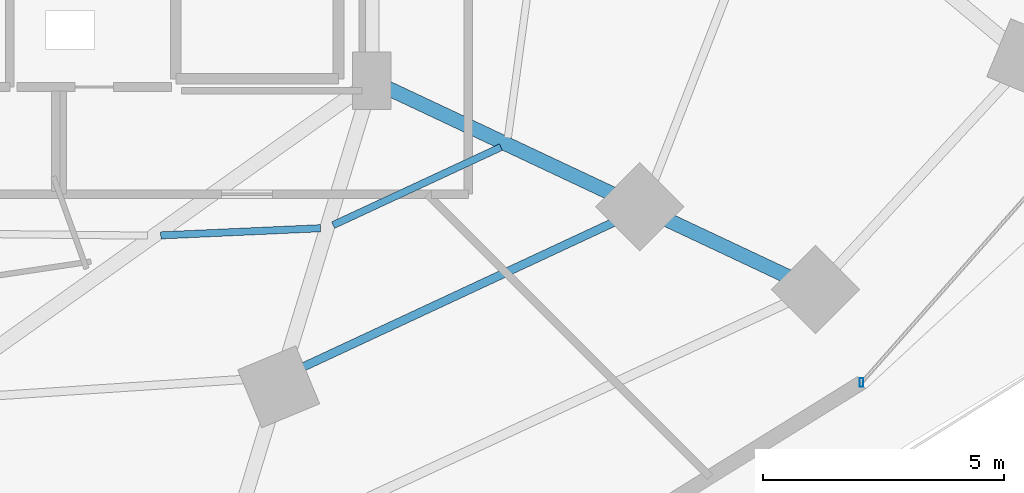
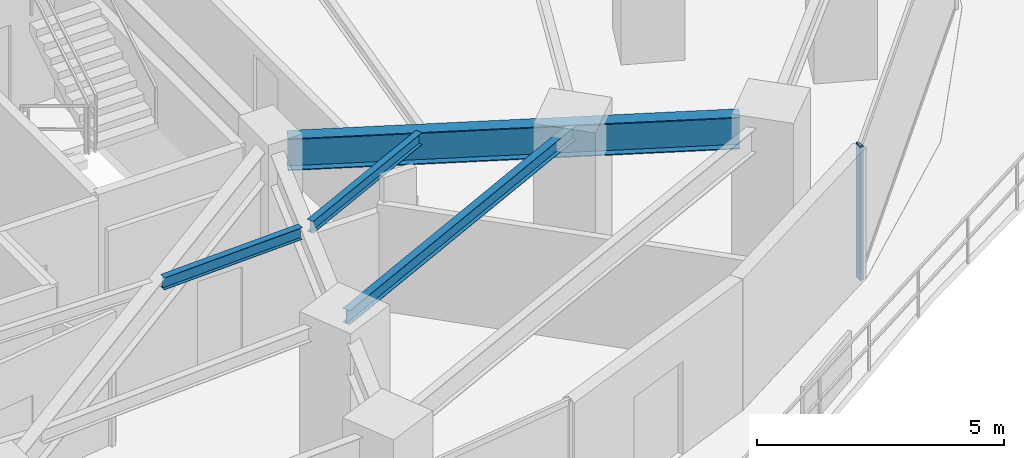
# One storey, part 13 of 34: 4 beams, 1 member, 1 element without a shape of its own.
"""IFC4 building model written with IfcOpenShell, lengths in metres."""

from ifc_helpers import new_model, si_unit, direction, frame, origin, origin_2d, place, context, subcontext, project, spatial, hollow_rectangle, i_section, extrude, material, material_profile, profile_set, type_object, element, aggregate, save


model = new_model("IFC4")

# Units and contexts
model_context = context("Model", 3, precision=1e-05, world=origin(), true_north=direction((0.0, 1.0)))
body_context = subcontext(model_context, "Body", "Model", "MODEL_VIEW")
ifc_project = project(units=[si_unit("LENGTHUNIT", "METRE"), si_unit("AREAUNIT", "SQUARE_METRE"), si_unit("VOLUMEUNIT", "CUBIC_METRE"), si_unit("PLANEANGLEUNIT", "RADIAN"), si_unit("MASSUNIT", "GRAM", prefix="KILO")], contexts=[model_context])

# Site, building, storey
site_placement = place(None, origin())
site = spatial("IfcSite", under=ifc_project, at=site_placement, CompositionType="ELEMENT")
building_placement = place(site_placement, origin())
building = spatial("IfcBuilding", under=site, at=building_placement, Name="Vorneva Point Tower", CompositionType="ELEMENT")
storey_placement = place(building_placement, frame((0.0, 0.0, 31.0)))
storey = spatial("IfcBuildingStorey", under=building, at=storey_placement, Name="L07", CompositionType="ELEMENT", Elevation=31.0)

# Beams
ifc_material_1 = material(Name="Steel S355", Category="steel")
ifc_material_profile_1 = material_profile(ifc_material_1, i_section(OverallWidth=0.300048828125, OverallDepth=0.7880859375, WebThickness=0.014404296875, FlangeThickness=0.02197265625, at=origin_2d()), Name="80Sh1")
ifc_profile_set_1 = profile_set([ifc_material_profile_1], Name="Steel S355")
beam_type_1 = type_object("IfcBeamType", Name="BM-GRD-80Sh1", PredefinedType="USERDEFINED", material=ifc_profile_set_1)
beam_1_placement = place(storey_placement, frame((57.361572265625, 12.39599609375, 2.845947265625), z_axis=(-0.904758409006, 0.425925135831, 0.0), x_axis=(-0.425925135831, -0.904758409006, 0.0)))
element("IfcBeam", 1, at=beam_1_placement, inside=storey, type_object=beam_type_1, Name="L07 Radial Primary Girder 15", ObjectType="GIRDER", PredefinedType="USERDEFINED", context=body_context, shape_type="SweptSolid", body=[
    extrude(i_section(OverallWidth=0.300048828125, OverallDepth=0.7880859375, WebThickness=0.014404296875, FlangeThickness=0.02197265625, at=origin_2d()), origin(), (0.0, 0.0, 1.0), 9.177978515625),
])
ifc_material_profile_2 = material_profile(ifc_material_1, i_section(OverallWidth=0.14892578125, OverallDepth=0.298095703125, WebThickness=0.005615234375, FlangeThickness=0.008056640625, at=origin_2d()), Name="30B1")
ifc_profile_set_2 = profile_set([ifc_material_profile_2], Name="Steel S355")
beam_type_2 = type_object("IfcBeamType", Name="BM-JST-30B1", PredefinedType="JOIST", material=ifc_profile_set_2)
beam_2_placement = place(storey_placement, frame((44.376953125, 13.24609375, 3.091064453125), z_axis=(0.998991219532, 0.044905938345, 0.0), x_axis=(-0.044905938345, 0.998991219532, 0.0)))
element("IfcBeam", 2, at=beam_2_placement, inside=storey, type_object=beam_type_2, Name="L07 Secondary Floor Beam 2.13", PredefinedType="JOIST", context=body_context, shape_type="SweptSolid", body=[
    extrude(i_section(OverallWidth=0.14892578125, OverallDepth=0.298095703125, WebThickness=0.005615234375, FlangeThickness=0.008056640625, at=origin_2d()), origin(), (0.0, 0.0, 1.0), 3.31103515625),
])
beam_3_placement = place(storey_placement, frame((47.947509765625, 13.458984375, 3.091064453125), z_axis=(0.906875117786, 0.421399478808, 0.0), x_axis=(-0.421399478808, 0.906875117786, 0.0)))
element("IfcBeam", 3, at=beam_3_placement, inside=storey, type_object=beam_type_2, Name="L07 Secondary Floor Beam 2.14", PredefinedType="JOIST", context=body_context, shape_type="SweptSolid", body=[
    extrude(i_section(OverallWidth=0.14892578125, OverallDepth=0.298095703125, WebThickness=0.005615234375, FlangeThickness=0.008056640625, at=origin_2d()), origin(), (0.0, 0.0, 1.0), 3.8330078125),
])
ifc_material_profile_3 = material_profile(ifc_material_1, i_section(OverallWidth=0.174072265625, OverallDepth=0.345947265625, WebThickness=0.006103515625, FlangeThickness=0.009033203125, at=origin_2d()), Name="35B1")
ifc_profile_set_3 = profile_set([ifc_material_profile_3], Name="Steel S355")
beam_type_3 = type_object("IfcBeamType", Name="BM-SEC-35B1", PredefinedType="BEAM", material=ifc_profile_set_3)
beam_4_placement = place(storey_placement, frame((47.00830078125, 10.372314453125, 3.06689453125), z_axis=(0.906436807177, 0.422341466818, 0.0), x_axis=(-0.422341466818, 0.906436807177, 0.0)))
element("IfcBeam", 4, at=beam_4_placement, inside=storey, type_object=beam_type_3, Name="L07 Secondary Floor Beam 1.14", PredefinedType="BEAM", context=body_context, shape_type="SweptSolid", body=[
    extrude(i_section(OverallWidth=0.174072265625, OverallDepth=0.345947265625, WebThickness=0.006103515625, FlangeThickness=0.009033203125, at=origin_2d()), origin(), (0.0, 0.0, 1.0), 7.98583984375),
])

# Curtain wall, member
ifc_material_2 = material(Name="Pale anodised aluminium", Category="aluminium")
curtain_wall_type = type_object("IfcCurtainWallType", Name="CW-HTL-SYS", PredefinedType="NOTDEFINED", material=ifc_material_2)
curtain_wall_placement = place(storey_placement, origin())
curtain_wall = element("IfcCurtainWall", 5, at=curtain_wall_placement, inside=storey, type_object=curtain_wall_type, Name="L07 Unitised Curtain Wall CW-L07-R01", PredefinedType="NOTDEFINED")
ifc_material_profile_4 = material_profile(ifc_material_2, hollow_rectangle(XDim=0.074951171875, YDim=0.179931640625, WallThickness=0.00390625, at=origin_2d()), Name="AL-MUL 180x75x4")
ifc_profile_set_4 = profile_set([ifc_material_profile_4], Name="Pale anodised aluminium")
member_type = type_object("IfcMemberType", Name="CW-MUL-180", PredefinedType="MULLION", material=ifc_profile_set_4)
member_placement = place(storey_placement, frame((58.89501953125, 10.1962890625, -0.0400390625), z_axis=(0.0, 0.0, 1.0), x_axis=(1.0, 0.0, 0.0)))
member = element("IfcMember", 6, at=member_placement, type_object=member_type, Name="CW-L07-R01 Mullion 01", PredefinedType="MULLION", context=body_context, shape_type="SweptSolid", body=[
    extrude(hollow_rectangle(XDim=0.074951171875, YDim=0.179931640625, WallThickness=0.00390625, at=origin_2d()), origin(), (0.0, 0.0, 1.0), 3.31005859375),
])
aggregate(curtain_wall, [member])

save(model, "model.ifc")
